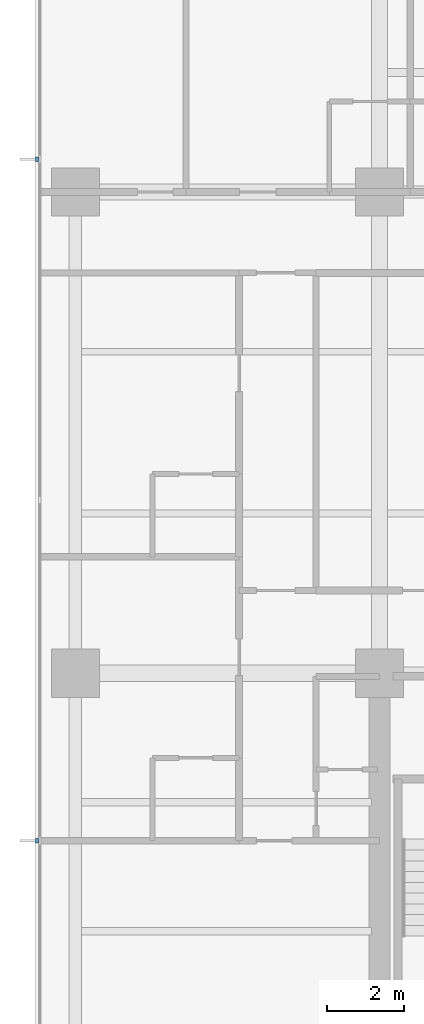
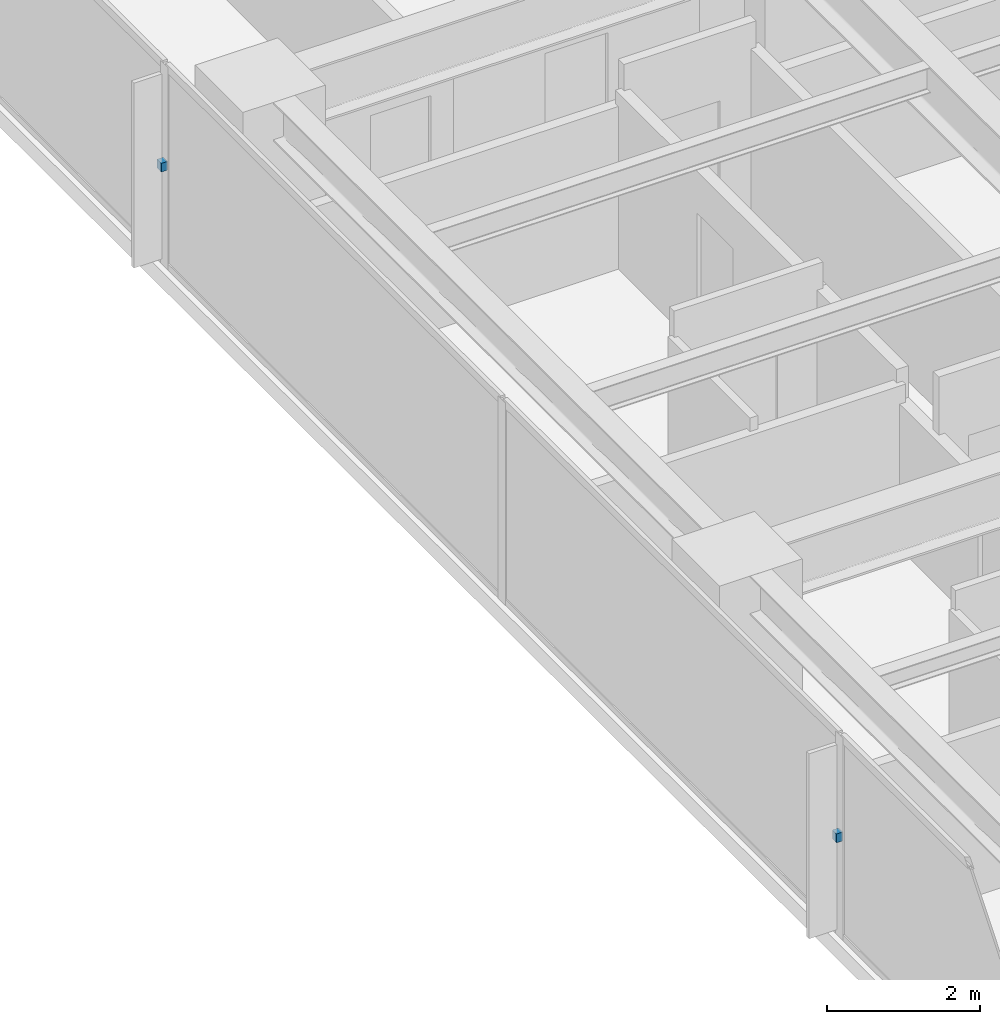
# One storey, part 13 of 17: 2 discrete accessories.
"""IFC4 building model written with IfcOpenShell, lengths in metres."""

from ifc_helpers import new_model, si_unit, direction, frame, origin, place, context, subcontext, project, spatial, polyline, outline, extrude, material, type_object, element, save


model = new_model("IFC4")

# Units and contexts
model_context = context("Model", 3, precision=1e-05, world=origin(), true_north=direction((0.0, 1.0)))
body_context = subcontext(model_context, "Body", "Model", "MODEL_VIEW")
ifc_project = project(units=[si_unit("LENGTHUNIT", "METRE"), si_unit("AREAUNIT", "SQUARE_METRE"), si_unit("VOLUMEUNIT", "CUBIC_METRE"), si_unit("PLANEANGLEUNIT", "RADIAN"), si_unit("MASSUNIT", "GRAM", prefix="KILO")], contexts=[model_context])

# Site, building, storey
site_placement = place(None, origin())
site = spatial("IfcSite", under=ifc_project, at=site_placement, CompositionType="ELEMENT")
building_placement = place(site_placement, origin())
building = spatial("IfcBuilding", under=site, at=building_placement, Name="Qalmaran Belvedere Hotel", CompositionType="ELEMENT")
storey_placement = place(building_placement, frame((0.0, 0.0, 105.699951171875)))
storey = spatial("IfcBuildingStorey", under=building, at=storey_placement, Name="L26", CompositionType="ELEMENT", Elevation=105.699951171875)

# Discrete accessories
ifc_material = material(Name="Stainless Steel 1.4401", Category="steel")
discrete_accessory_type = type_object("IfcDiscreteAccessoryType", Name="BRK-FIN-SS316", PredefinedType="BRACKET", material=ifc_material)
discrete_accessory_1_placement = place(storey_placement, frame((0.0, 0.0, 1.570068359375)))
element("IfcDiscreteAccessory", 1, at=discrete_accessory_1_placement, inside=storey, type_object=discrete_accessory_type, Name="L26 Fin Bracket 1", PredefinedType="BRACKET", context=body_context, shape_type="SweptSolid", body=[
    extrude(outline(polyline([(11.455078125, 33.905029296875), (11.360107421875, 33.905029296875), (11.360107421875, 33.794921875), (11.455078125, 33.794921875), (11.455078125, 33.905029296875)])), origin(), (0.0, 0.0, 1.0), 0.139892578125),
])
discrete_accessory_2_placement = place(storey_placement, frame((0.0, 0.0, 1.570068359375)))
element("IfcDiscreteAccessory", 2, at=discrete_accessory_2_placement, inside=storey, type_object=discrete_accessory_type, Name="L26 Fin Bracket 3", PredefinedType="BRACKET", context=body_context, shape_type="SweptSolid", body=[
    extrude(outline(polyline([(11.455078125, 16.205078125), (11.360107421875, 16.205078125), (11.360107421875, 16.094970703125), (11.455078125, 16.094970703125), (11.455078125, 16.205078125)])), origin(), (0.0, 0.0, 1.0), 0.139892578125),
])

save(model, "model.ifc")
